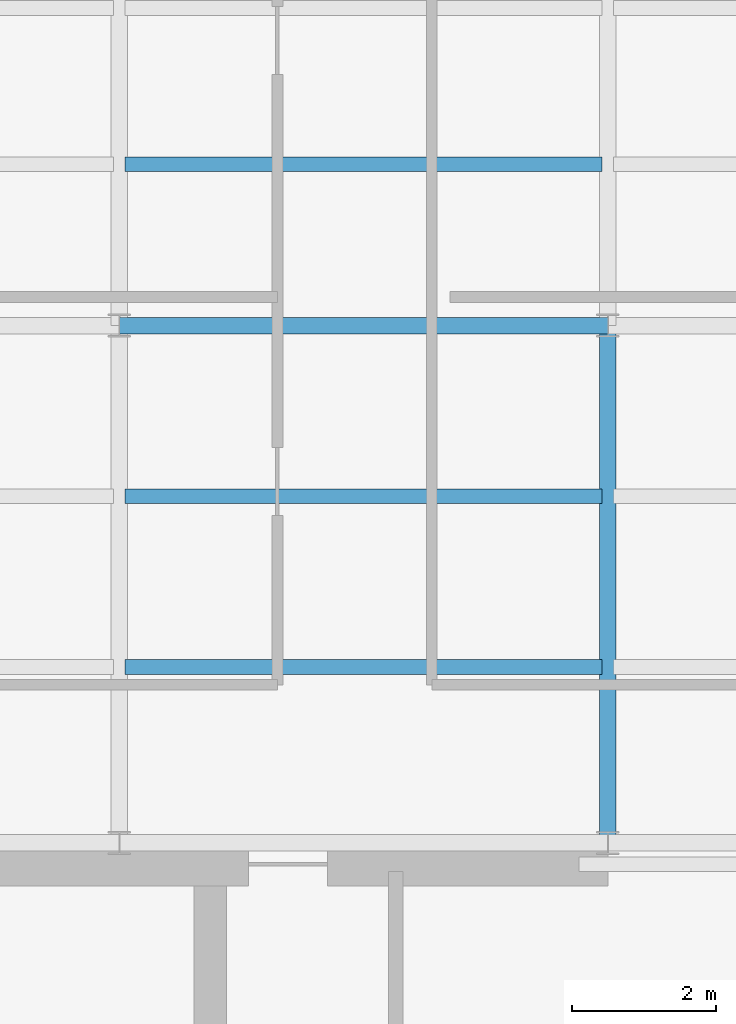
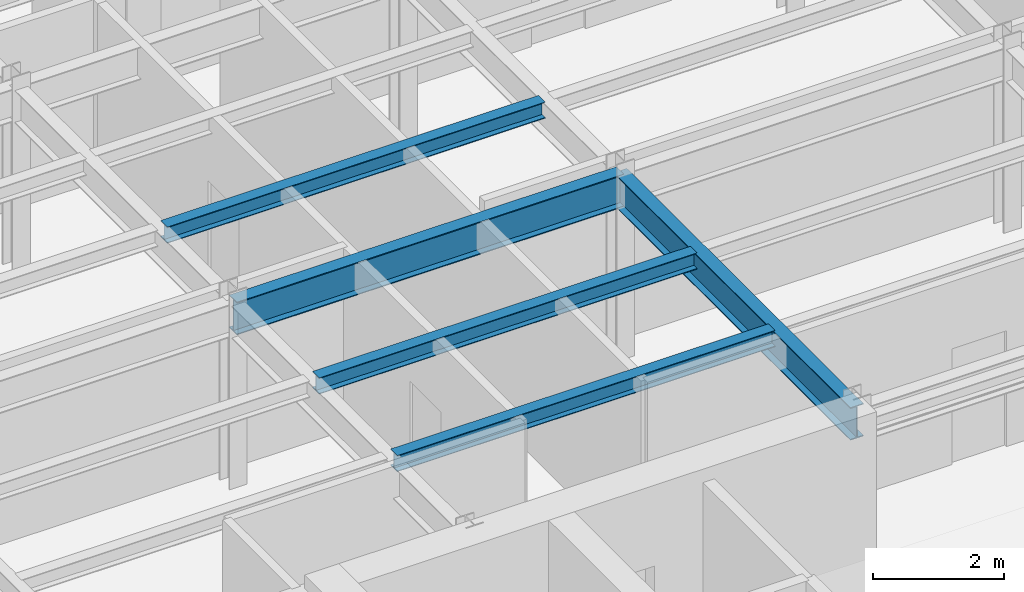
# One storey, part 6 of 22: 5 beams.
"""IFC4 building model written with IfcOpenShell, lengths in metres."""

from ifc_helpers import new_model, si_unit, derived_unit, direction, frame, origin, origin_2d, place, context, subcontext, project, spatial, i_section, extrude, source, transform, mapped, material, material_profile, profile_set, type_object, element, save


model = new_model("IFC4")

# Units and contexts
model_context = context("Model", 3, precision=1e-05, world=origin(), true_north=direction((0.0, 1.0)))
body_context = subcontext(model_context, "Body", "Model", "MODEL_VIEW")
ifc_project = project(units=[si_unit("LENGTHUNIT", "METRE"), si_unit("AREAUNIT", "SQUARE_METRE"), si_unit("VOLUMEUNIT", "CUBIC_METRE"), si_unit("PLANEANGLEUNIT", "RADIAN"), si_unit("MASSUNIT", "GRAM", prefix="KILO"), derived_unit("THERMALTRANSMITTANCEUNIT", [(si_unit("POWERUNIT", "WATT"), 1), (si_unit("LENGTHUNIT", "METRE"), -2), (si_unit("THERMODYNAMICTEMPERATUREUNIT", "KELVIN"), -1)])], contexts=[model_context])

# Site, building, storey
site_placement = place(None, origin())
site = spatial("IfcSite", under=ifc_project, at=site_placement, CompositionType="ELEMENT")
building_placement = place(site_placement, origin())
building = spatial("IfcBuilding", under=site, at=building_placement, Name="Skarnbrae Concourse Arena and Tower", CompositionType="ELEMENT")
storey_placement = place(building_placement, frame((0.0, 0.0, 277.050048828125)))
storey = spatial("IfcBuildingStorey", under=building, at=storey_placement, Name="L72", CompositionType="ELEMENT", Elevation=277.050048828125)

# Beams
ifc_material = material(Name="Steel CSA G40.21 350W", Category="steel")
ifc_material_profile_1 = material_profile(ifc_material, i_section(OverallWidth=0.22802734375, OverallDepth=0.60791015625, WebThickness=0.01123046875, FlangeThickness=0.017333984375, at=origin_2d()), Name="W610X113")
ifc_profile_set_1 = profile_set([ifc_material_profile_1], Name="Steel CSA G40.21 350W")
beam_type_1 = type_object("IfcBeamType", Name="BM-GIRD-W610X113", PredefinedType="BEAM", material=ifc_profile_set_1)
shared_shape_1 = source(origin(), body_context, "Body", "SweptSolid", [
    extrude(i_section(OverallWidth=0.22802734375, OverallDepth=0.60791015625, WebThickness=0.01123046875, FlangeThickness=0.017333984375, at=origin_2d()), origin(), (0.0, 0.0, 1.0), 6.7998046875),
])
beam_1_placement = place(storey_placement, frame((7.60009765625, 21.199951171875, 3.095947265625), z_axis=(1.0, 0.0, 0.0), x_axis=(0.0, 1.0, 0.0)))
element("IfcBeam", 1, at=beam_1_placement, inside=storey, type_object=beam_type_1, Name="L72 Primary E-W girder Y21.2-2", PredefinedType="BEAM", context=body_context, shape_type="MappedRepresentation", body=[
    mapped(shared_shape_1, transform((0.0, 0.0, 0.0))),
])
shared_shape_2 = source(origin(), body_context, "Body", "SweptSolid", [
    extrude(i_section(OverallWidth=0.22802734375, OverallDepth=0.60791015625, WebThickness=0.01123046875, FlangeThickness=0.017333984375, at=origin_2d()), origin(), (0.0, 0.0, 1.0), 7.199951171875),
])
beam_2_placement = place(storey_placement, frame((14.39990234375, 14.0, 3.095947265625), z_axis=(0.0, 1.0, 0.0), x_axis=(-1.0, 0.0, 0.0)))
element("IfcBeam", 2, at=beam_2_placement, inside=storey, type_object=beam_type_1, Name="L72 Primary N-S girder X14.4-1", PredefinedType="BEAM", context=body_context, shape_type="MappedRepresentation", body=[
    mapped(shared_shape_2, transform((0.0, 0.0, 0.0))),
])
ifc_material_profile_2 = material_profile(ifc_material, i_section(OverallWidth=0.202880859375, OverallDepth=0.302978515625, WebThickness=0.007568359375, FlangeThickness=0.01318359375, at=origin_2d()), Name="W310X60")
ifc_profile_set_2 = profile_set([ifc_material_profile_2], Name="Steel CSA G40.21 350W")
beam_type_2 = type_object("IfcBeamType", Name="BM-JOIST-W310X60", PredefinedType="JOIST", material=ifc_profile_set_2)
shared_shape_3 = source(origin(), body_context, "Body", "SweptSolid", [
    extrude(i_section(OverallWidth=0.202880859375, OverallDepth=0.302978515625, WebThickness=0.007568359375, FlangeThickness=0.01318359375, at=origin_2d()), origin(), (0.0, 0.0, 1.0), 6.64013671875),
])
for number, where, z_axis, x_axis, name in (
    (3, (7.679931640625, 16.447998046875, 3.24853515625), (1.0, 0.0, 0.0), (0.0, 1.0, 0.0), "L72 Secondary floor joist 1.1.2"),
    (4, (7.679931640625, 18.823974609375, 3.24853515625), (1.0, 0.0, 0.0), (0.0, 1.0, 0.0), "L72 Secondary floor joist 1.2.2"),
    (5, (7.679931640625, 23.444091796875, 3.24853515625), (1.0, 0.0, 0.0), (0.0, 1.0, 0.0), "L72 Secondary floor joist 2.1.2"),
):
    element("IfcBeam", number, at=place(storey_placement, frame(where, z_axis=z_axis, x_axis=x_axis)), inside=storey, type_object=beam_type_2, Name=name, PredefinedType="JOIST", context=body_context, shape_type="MappedRepresentation", body=[
        mapped(shared_shape_3, transform((0.0, 0.0, 0.0))),
    ])

save(model, "model.ifc")
